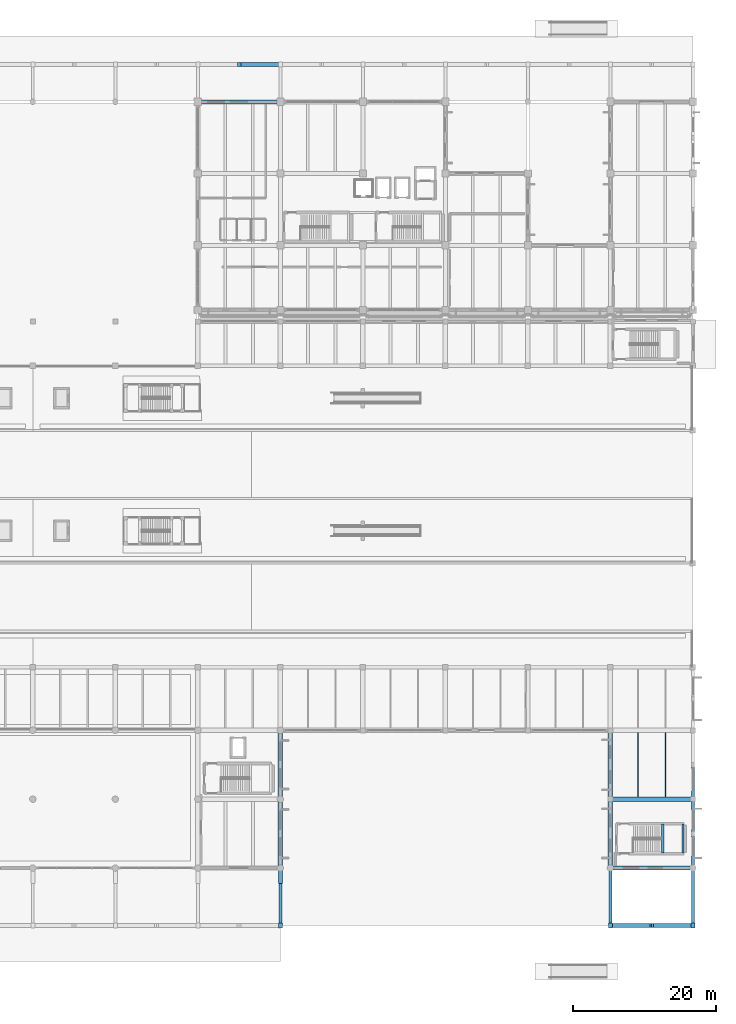
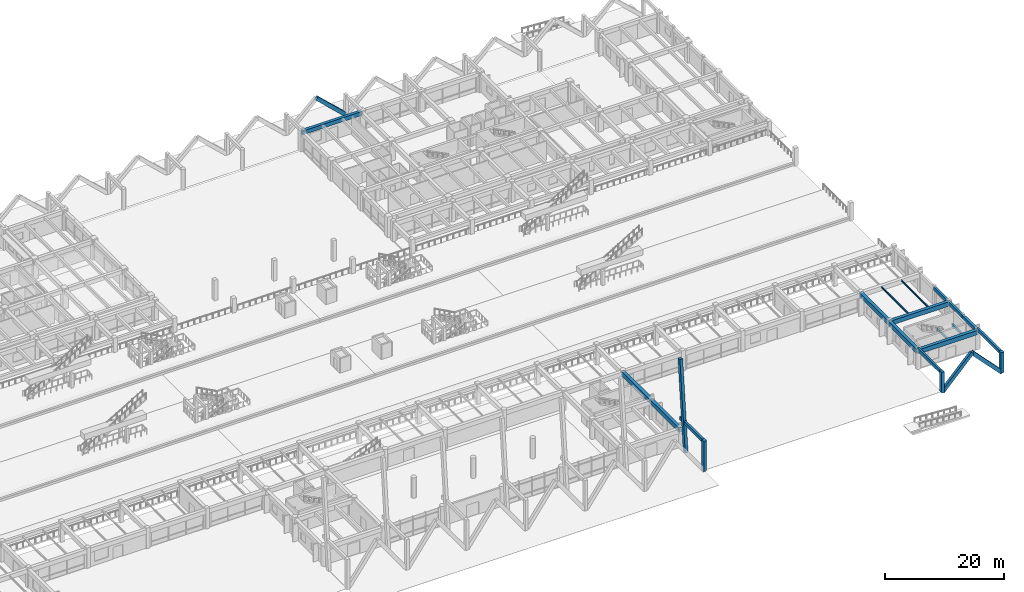
# One storey, part 53 of 109: 17 beams, 7 members.
"""IFC4 building model written with IfcOpenShell, lengths in metres."""

from ifc_helpers import new_model, si_unit, direction, frame, origin, origin_2d, place, context, subcontext, project, spatial, rectangle, i_section, extrude, material, material_profile, profile_set, type_object, element, save


model = new_model("IFC4")

# Units and contexts
model_context = context("Model", 3, precision=1e-05, world=origin(), true_north=direction((0.0, 1.0)))
body_context = subcontext(model_context, "Body", "Model", "MODEL_VIEW")
ifc_project = project(units=[si_unit("LENGTHUNIT", "METRE"), si_unit("AREAUNIT", "SQUARE_METRE"), si_unit("VOLUMEUNIT", "CUBIC_METRE"), si_unit("PLANEANGLEUNIT", "RADIAN"), si_unit("MASSUNIT", "GRAM", prefix="KILO")], contexts=[model_context])

# Site, building, storey
site_placement = place(None, origin())
site = spatial("IfcSite", under=ifc_project, at=site_placement, CompositionType="ELEMENT")
building_placement = place(site_placement, origin())
building = spatial("IfcBuilding", under=site, at=building_placement, Name="Ologun Quay Terminus", CompositionType="ELEMENT")
storey_placement = place(building_placement, origin())
storey = spatial("IfcBuildingStorey", under=building, at=storey_placement, Name="L00", CompositionType="ELEMENT", Elevation=0.0)

# Beams
ifc_material_1 = material(Name="Concrete C40/50", Category="concrete")
ifc_material_profile_1 = material_profile(ifc_material_1, rectangle(XDim=0.300048828125, YDim=0.449951171875, at=origin_2d()), Name="RC 300x450")
ifc_profile_set_1 = profile_set([ifc_material_profile_1], Name="Concrete C40/50")
beam_type_1 = type_object("IfcBeamType", Name="Core Coupling Lintel Beam 300x450", PredefinedType="LINTEL", material=ifc_profile_set_1)
for number, where, z_axis, x_axis, name in (
    (1, (179.7900390625, 10.080078125, 1.695068359375), (0.0, 1.0, 0.0), (-1.0, 0.0, 0.0), "LN1 Half-Landing Ledger Beam ST-S2-W L00"),
    (2, (182.610107421875, 10.080078125, 1.695068359375), (0.0, 1.0, 0.0), (-1.0, 0.0, 0.0), "LN1 Half-Landing Ledger Beam ST-S2-E L00"),
):
    element("IfcBeam", number, at=place(storey_placement, frame(where, z_axis=z_axis, x_axis=x_axis)), inside=storey, type_object=beam_type_1, Name=name, PredefinedType="LINTEL", context=body_context, shape_type="SweptSolid", body=[
        extrude(rectangle(XDim=0.300048828125, YDim=0.449951171875, at=origin_2d()), origin(), (0.0, 0.0, 1.0), 4.0400390625),
    ])
ifc_material_2 = material(Name="Concrete C40/50", Category="concrete")
ifc_material_profile_2 = material_profile(ifc_material_2, rectangle(XDim=0.550048828125, YDim=0.800048828125, at=origin_2d()), Name="RC 550x800")
ifc_profile_set_2 = profile_set([ifc_material_profile_2], Name="Concrete C40/50")
beam_type_2 = type_object("IfcBeamType", Name="Courtyard Wing Primary Girder 550x800", PredefinedType="BEAM", material=ifc_profile_set_2)
beam_1_placement = place(storey_placement, frame((115.0, 114.800048828125, 3.550048828125), z_axis=(1.0, 0.0, 0.0), x_axis=(0.0, 1.0, 0.0)))
element("IfcBeam", 3, at=beam_1_placement, inside=storey, type_object=beam_type_2, Name="B4 Beam 11/K L00", PredefinedType="BEAM", context=body_context, shape_type="SweptSolid", body=[
    extrude(rectangle(XDim=0.550048828125, YDim=0.800048828125, at=origin_2d()), origin(), (0.0, 0.0, 1.0), 11.5),
])

# Members
ifc_material_3 = material(Name="Concrete C45/55", Category="concrete")
ifc_material_profile_3 = material_profile(ifc_material_3, rectangle(XDim=0.550048828125, YDim=0.699951171875, at=origin_2d()), Name="RC 550x700")
ifc_profile_set_3 = profile_set([ifc_material_profile_3], Name="Concrete C45/55")
member_type = type_object("IfcMemberType", Name="Folded Canopy Concrete V-Strut 550x700", PredefinedType="STRUT", material=ifc_profile_set_3)
member_1_placement = place(storey_placement, frame((126.5, 6.199951171875, 0.0), z_axis=(0.0, 0.099178744049, 0.995069634111), x_axis=(-1.0, 0.0, 0.0)))
element("IfcMember", 4, at=member_1_placement, inside=storey, type_object=member_type, Name="VS2 Raked Concrete Portal Rib 12/B", PredefinedType="STRUT", context=body_context, shape_type="SweptSolid", body=[
    extrude(rectangle(XDim=0.550048828125, YDim=0.699951171875, at=origin_2d()), origin(), (0.0, 0.0, 1.0), 18.149658203125),
])
member_2_placement = place(storey_placement, frame((126.5, 0.0, 0.0), z_axis=(0.0, 0.0, 1.0), x_axis=(1.0, 0.0, 0.0)))
element("IfcMember", 5, at=member_2_placement, inside=storey, type_object=member_type, Name="VS2 Canopy Pier 12/A", PredefinedType="STRUT", context=body_context, shape_type="SweptSolid", body=[
    extrude(rectangle(XDim=0.550048828125, YDim=0.699951171875, at=origin_2d()), origin(), (0.0, 0.0, 1.0), 6.219970703125),
])
member_3_placement = place(storey_placement, frame((126.5, 120.0, 0.0), z_axis=(-0.727684573488, 0.0, 0.685911919643), x_axis=(0.0, -1.0, 0.0)))
element("IfcMember", 6, at=member_3_placement, inside=storey, type_object=member_type, Name="VS2 Colonnade Strut 12/L-W", PredefinedType="STRUT", context=body_context, shape_type="SweptSolid", body=[
    extrude(rectangle(XDim=0.550048828125, YDim=0.699951171875, at=origin_2d()), origin(), (0.0, 0.0, 1.0), 7.90185546875),
])
for number, where, z_axis, x_axis, name in (
    (7, (172.5, 0.0, 0.0), (0.0, 0.0, 1.0), (1.0, 0.0, 0.0), "VS2 Canopy Pier 16/A"),
    (8, (184.0, 0.0, 0.0), (0.0, 0.0, 1.0), (1.0, 0.0, 0.0), "VS2 Canopy Pier 17/A"),
):
    element("IfcMember", number, at=place(storey_placement, frame(where, z_axis=z_axis, x_axis=x_axis)), inside=storey, type_object=member_type, Name=name, PredefinedType="STRUT", context=body_context, shape_type="SweptSolid", body=[
        extrude(rectangle(XDim=0.550048828125, YDim=0.699951171875, at=origin_2d()), origin(), (0.0, 0.0, 1.0), 4.219970703125),
    ])
for number, where, z_axis, x_axis, name in (
    (9, (172.5, 0.0, 0.0), (0.69070309775, 0.0, 0.723138458913), (0.0, 1.0, 0.0), "VS2 Canopy Strut 16/A-E"),
    (10, (184.0, 0.0, 0.0), (-0.69070309775, 0.0, 0.723138458913), (0.0, -1.0, 0.0), "VS2 Canopy Strut 17/A-W"),
):
    element("IfcMember", number, at=place(storey_placement, frame(where, z_axis=z_axis, x_axis=x_axis)), inside=storey, type_object=member_type, Name=name, PredefinedType="STRUT", context=body_context, shape_type="SweptSolid", body=[
        extrude(rectangle(XDim=0.550048828125, YDim=0.699951171875, at=origin_2d()), origin(), (0.0, 0.0, 1.0), 8.324951171875),
    ])

# Beams
ifc_material_4 = material(Name="Steel S355", Category="steel")
ifc_material_profile_4 = material_profile(ifc_material_4, i_section(OverallWidth=0.1650390625, OverallDepth=0.303466796875, WebThickness=0.006103515625, FlangeThickness=0.01025390625, at=origin_2d()), Name="UKB 305x165x40")
ifc_profile_set_4 = profile_set([ifc_material_profile_4], Name="Steel S355")
beam_type_3 = type_object("IfcBeamType", Name="Mezzanine Steel Joist UKB305", PredefinedType="JOIST", material=ifc_profile_set_4)
for number, where, z_axis, x_axis, name in (
    (11, (176.333251953125, 17.89990234375, 3.748291015625), (0.0, 1.0, 0.0), (-1.0, 0.0, 0.0), "SJ1 Beam 16/C L00"),
    (12, (180.166748046875, 17.89990234375, 3.748291015625), (0.0, 1.0, 0.0), (-1.0, 0.0, 0.0), "SJ1 Beam 16/C L00"),
):
    element("IfcBeam", number, at=place(storey_placement, frame(where, z_axis=z_axis, x_axis=x_axis)), inside=storey, type_object=beam_type_3, Name=name, PredefinedType="JOIST", context=body_context, shape_type="SweptSolid", body=[
        extrude(i_section(OverallWidth=0.1650390625, OverallDepth=0.303466796875, WebThickness=0.006103515625, FlangeThickness=0.01025390625, at=origin_2d()), origin(), (0.0, 0.0, 1.0), 9.0),
    ])
ifc_material_5 = material(Name="Concrete C40/50", Category="concrete")
ifc_material_profile_5 = material_profile(ifc_material_5, rectangle(XDim=0.449951171875, YDim=0.699951171875, at=origin_2d()), Name="RC 450x700")
ifc_profile_set_5 = profile_set([ifc_material_profile_5], Name="Concrete C40/50")
beam_type_4 = type_object("IfcBeamType", Name="Perimeter Spandrel Beam 450x700", PredefinedType="SPANDREL", material=ifc_profile_set_5)
for number, where, z_axis, x_axis, name in (
    (13, (184.0, 8.0, 3.550048828125), (0.0, 1.0, 0.0), (-1.0, 0.0, 0.0), "SP1 Beam 17/B L00"),
    (14, (184.0, 12.800048828125, 3.550048828125), (0.0, 1.0, 0.0), (-1.0, 0.0, 0.0), "SP1 Beam 17/B L00"),
):
    element("IfcBeam", number, at=place(storey_placement, frame(where, z_axis=z_axis, x_axis=x_axis)), inside=storey, type_object=beam_type_4, Name=name, PredefinedType="SPANDREL", context=body_context, shape_type="SweptSolid", body=[
        extrude(rectangle(XDim=0.449951171875, YDim=0.699951171875, at=origin_2d()), origin(), (0.0, 0.0, 1.0), 4.800048828125),
    ])
beam_2_placement = place(storey_placement, frame((184.0, 17.60009765625, 3.550048828125), z_axis=(0.0, 1.0, 0.0), x_axis=(-1.0, 0.0, 0.0)))
element("IfcBeam", 15, at=beam_2_placement, inside=storey, type_object=beam_type_4, Name="SP1 Beam 17/C L00", PredefinedType="SPANDREL", context=body_context, shape_type="SweptSolid", body=[
    extrude(rectangle(XDim=0.449951171875, YDim=0.699951171875, at=origin_2d()), origin(), (0.0, 0.0, 1.0), 4.7998046875),
])
ifc_material_6 = material(Name="Concrete C40/50", Category="concrete")
ifc_material_profile_6 = material_profile(ifc_material_6, rectangle(XDim=0.60009765625, YDim=0.89990234375, at=origin_2d()), Name="RC 600x900")
ifc_profile_set_6 = profile_set([ifc_material_profile_6], Name="Concrete C40/50")
beam_type_5 = type_object("IfcBeamType", Name="Station Frame Girder 600x900", PredefinedType="BEAM", material=ifc_profile_set_6)
for number, where, z_axis, x_axis, name in (
    (16, (172.5, 8.0, 3.449951171875), (1.0, 0.0, 0.0), (0.0, 1.0, 0.0), "B3 Beam 16/B L00"),
    (17, (172.5, 17.60009765625, 3.449951171875), (1.0, 0.0, 0.0), (0.0, 1.0, 0.0), "B3 Beam 16/C L00"),
):
    element("IfcBeam", number, at=place(storey_placement, frame(where, z_axis=z_axis, x_axis=x_axis)), inside=storey, type_object=beam_type_5, Name=name, PredefinedType="BEAM", context=body_context, shape_type="SweptSolid", body=[
        extrude(rectangle(XDim=0.60009765625, YDim=0.89990234375, at=origin_2d()), origin(), (0.0, 0.0, 1.0), 11.5),
    ])
beam_3_placement = place(storey_placement, frame((126.5, 8.0, 3.449951171875), z_axis=(0.0, 1.0, 0.0), x_axis=(-1.0, 0.0, 0.0)))
element("IfcBeam", 18, at=beam_3_placement, inside=storey, type_object=beam_type_5, Name="B3 Beam 12/B L00", PredefinedType="BEAM", context=body_context, shape_type="SweptSolid", body=[
    extrude(rectangle(XDim=0.60009765625, YDim=0.89990234375, at=origin_2d()), origin(), (0.0, 0.0, 1.0), 9.60009765625),
])
beam_4_placement = place(storey_placement, frame((126.5, 17.60009765625, 3.449951171875), z_axis=(0.0, 1.0, 0.0), x_axis=(-1.0, 0.0, 0.0)))
element("IfcBeam", 19, at=beam_4_placement, inside=storey, type_object=beam_type_5, Name="B3 Beam 12/C L00", PredefinedType="BEAM", context=body_context, shape_type="SweptSolid", body=[
    extrude(rectangle(XDim=0.60009765625, YDim=0.89990234375, at=origin_2d()), origin(), (0.0, 0.0, 1.0), 9.599853515625),
])
beam_5_placement = place(storey_placement, frame((172.5, 8.0, 3.449951171875), z_axis=(0.0, 1.0, 0.0), x_axis=(-1.0, 0.0, 0.0)))
element("IfcBeam", 20, at=beam_5_placement, inside=storey, type_object=beam_type_5, Name="B3 Beam 16/B L00", PredefinedType="BEAM", context=body_context, shape_type="SweptSolid", body=[
    extrude(rectangle(XDim=0.60009765625, YDim=0.89990234375, at=origin_2d()), origin(), (0.0, 0.0, 1.0), 9.60009765625),
])
beam_6_placement = place(storey_placement, frame((172.5, 17.60009765625, 3.449951171875), z_axis=(0.0, 1.0, 0.0), x_axis=(-1.0, 0.0, 0.0)))
element("IfcBeam", 21, at=beam_6_placement, inside=storey, type_object=beam_type_5, Name="B3 Beam 16/C L00", PredefinedType="BEAM", context=body_context, shape_type="SweptSolid", body=[
    extrude(rectangle(XDim=0.60009765625, YDim=0.89990234375, at=origin_2d()), origin(), (0.0, 0.0, 1.0), 9.599853515625),
])
ifc_material_7 = material(Name="Concrete C40/50", Category="concrete")
ifc_material_profile_7 = material_profile(ifc_material_7, rectangle(XDim=0.39990234375, YDim=0.64990234375, at=origin_2d()), Name="RC 400x650")
ifc_profile_set_7 = profile_set([ifc_material_profile_7], Name="Concrete C40/50")
beam_type_6 = type_object("IfcBeamType", Name="Station Secondary Joist 400x650", PredefinedType="JOIST", material=ifc_profile_set_7)
for number, where, z_axis, x_axis, name in (
    (22, (126.5, 0.0, 5.89501953125), (0.0, 1.0, 0.0), (-1.0, 0.0, 0.0), "J1 Beam 12/A L00"),
    (23, (172.5, 0.0, 3.89501953125), (0.0, 1.0, 0.0), (-1.0, 0.0, 0.0), "J1 Beam 16/A L00"),
    (24, (184.0, 0.0, 3.89501953125), (0.0, 1.0, 0.0), (-1.0, 0.0, 0.0), "J1 Beam 17/A L00"),
):
    element("IfcBeam", number, at=place(storey_placement, frame(where, z_axis=z_axis, x_axis=x_axis)), inside=storey, type_object=beam_type_6, Name=name, PredefinedType="JOIST", context=body_context, shape_type="SweptSolid", body=[
        extrude(rectangle(XDim=0.39990234375, YDim=0.64990234375, at=origin_2d()), origin(), (0.0, 0.0, 1.0), 8.0),
    ])

save(model, "model.ifc")
